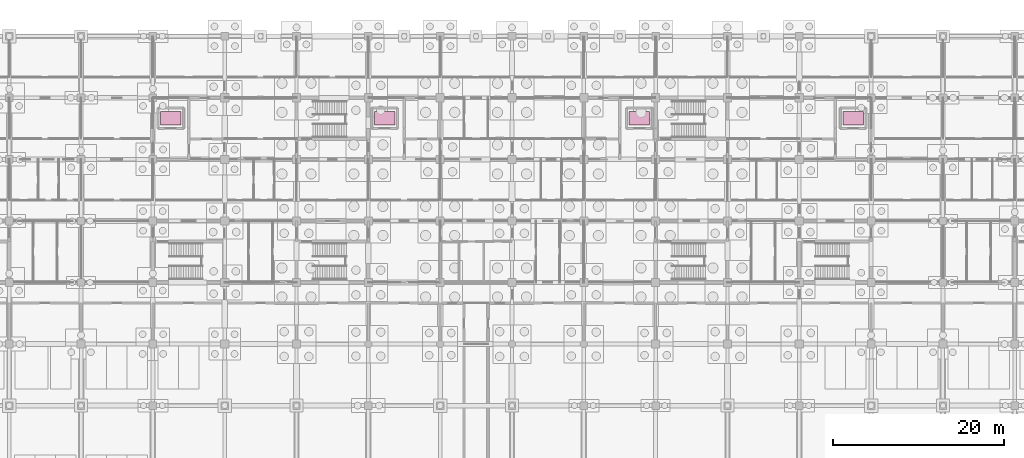
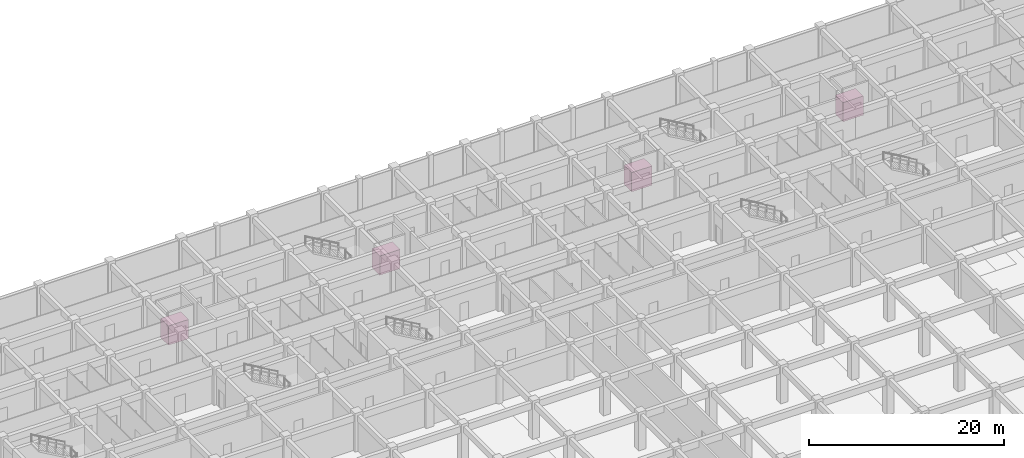
# One storey, part 85 of 85: 4 transport elements.
"""IFC4 building model written with IfcOpenShell, lengths in metres."""

from ifc_helpers import new_model, si_unit, direction, frame, origin, origin_2d, place, context, subcontext, project, spatial, rectangle, extrude, material, type_object, element, save


model = new_model("IFC4")

# Units and contexts
model_context = context("Model", 3, precision=1e-05, world=origin(), true_north=direction((0.0, 1.0)))
body_context = subcontext(model_context, "Body", "Model", "MODEL_VIEW")
ifc_project = project(units=[si_unit("LENGTHUNIT", "METRE"), si_unit("AREAUNIT", "SQUARE_METRE"), si_unit("VOLUMEUNIT", "CUBIC_METRE"), si_unit("PLANEANGLEUNIT", "RADIAN"), si_unit("MASSUNIT", "GRAM", prefix="KILO")], contexts=[model_context])

# Site, building, storey
site_placement = place(None, origin())
site = spatial("IfcSite", under=ifc_project, at=site_placement, CompositionType="ELEMENT")
building_placement = place(site_placement, origin())
building = spatial("IfcBuilding", under=site, at=building_placement, Name="Chengyuan Square Courthouse", CompositionType="ELEMENT")
storey_placement = place(building_placement, frame((0.0, 0.0, -10.199951171875)))
storey = spatial("IfcBuildingStorey", under=building, at=storey_placement, Name="B02", CompositionType="ELEMENT", Elevation=-10.199951171875)

# Transport elements
ifc_material = material(Name="Stainless Steel S30408 Elevator Cab", Category="steel")
transport_element_type = type_object("IfcTransportElementType", Name="LFT-FF", PredefinedType="ELEVATOR", material=ifc_material)
for number, where, z_axis, x_axis, name in (
    (1, (69.10009765625, 105.60009765625, 0.0), (0.0, 0.0, 1.0), (1.0, 0.0, 0.0), "Elevator Car LF-F1"),
    (2, (98.89990234375, 105.60009765625, 0.0), (0.0, 0.0, 1.0), (1.0, 0.0, 0.0), "Elevator Car LF-F2"),
    (3, (44.10009765625, 105.60009765625, 0.0), (0.0, 0.0, 1.0), (1.0, 0.0, 0.0), "Elevator Car LF-F3"),
    (4, (123.89990234375, 105.60009765625, 0.0), (0.0, 0.0, 1.0), (1.0, 0.0, 0.0), "Elevator Car LF-F4"),
):
    element("IfcTransportElement", number, at=place(storey_placement, frame(where, z_axis=z_axis, x_axis=x_axis)), inside=storey, type_object=transport_element_type, Name=name, PredefinedType="ELEVATOR", context=body_context, shape_type="SweptSolid", body=[
        extrude(rectangle(XDim=2.39990234375, YDim=1.60009765625, at=origin_2d()), origin(), (0.0, 0.0, 1.0), 2.39990234375),
    ])

save(model, "model.ifc")
